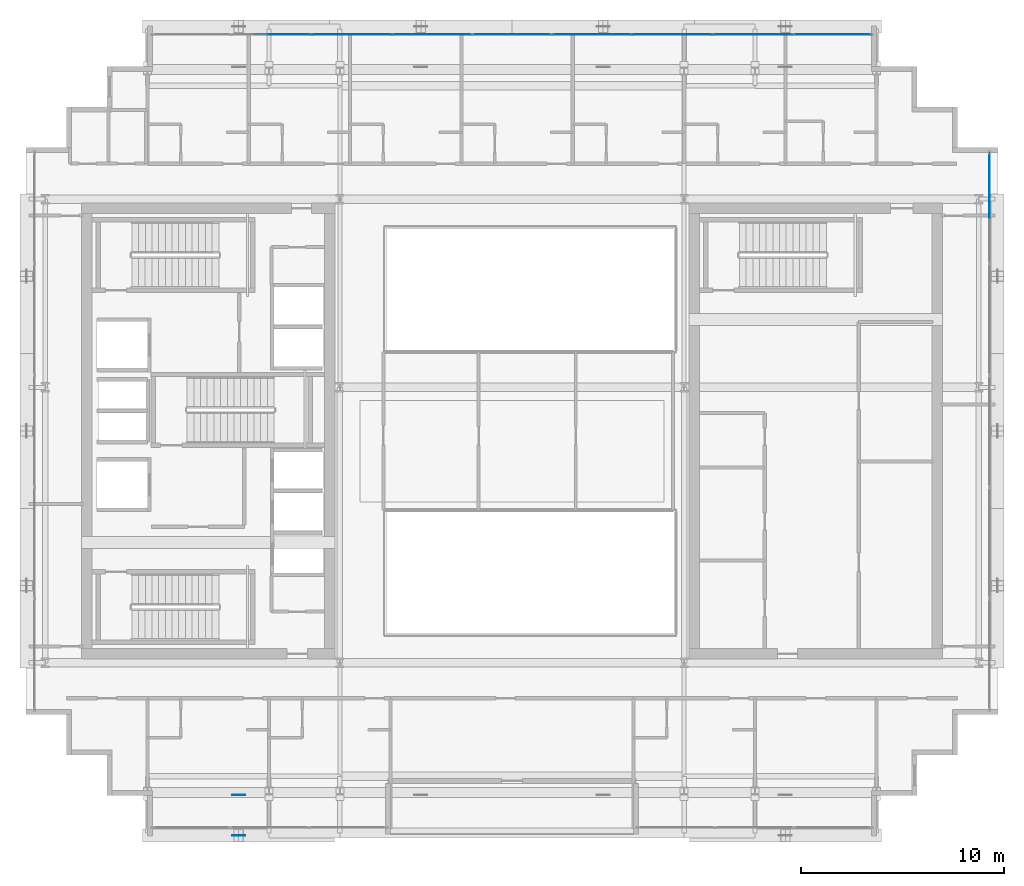
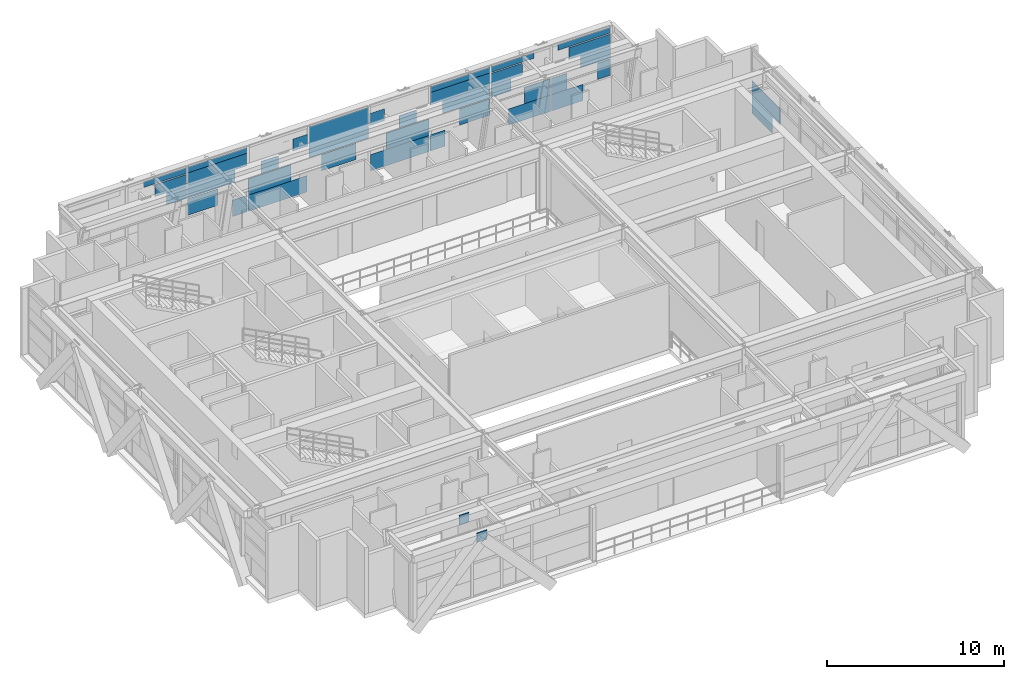
# One storey, part 21 of 31: 38 plates, 2 elements without a shape of their own.
"""IFC4 building model written with IfcOpenShell, lengths in metres."""

import ifcopenshell
import ifcopenshell.guid

model = None  # the IFC model being written
_history = None  # IfcOwnerHistory: only IFC2X3 demands one
_inside = {}  # id of a spatial element -> (the spatial element, [elements in it])
_under = {}  # id of a project, library or spatial element -> (it, [spatial elements below it])
_declared = {}  # id of a project -> (the project, [libraries it declares])
_typed = {}  # id of a type object -> (the type object, [elements of that type])
_made_of = {}  # id of a material, layer set ... -> (it, [elements and type objects made of it])


def new_model(schema):
    """Start an empty IFC model of exactly this schema.

    Asked for "IFC4X3", IfcOpenShell would pick the latest addendum, in which some entities
    have other attributes; the version numbers below select the first issue.
    IFC2X3 requires an IfcOwnerHistory on every rooted entity: one is made here for all.
    """
    global model, _history
    if schema == "IFC4X3":
        model = ifcopenshell.file(schema_version=(4, 3, 0, 0))
    else:
        model = ifcopenshell.file(schema=schema)
    _inside.clear()
    _under.clear()
    _declared.clear()
    _typed.clear()
    _made_of.clear()
    _history = None
    if model.schema == "IFC2X3":
        org = make("IfcOrganization", Name="unknown")
        user = make(
            "IfcPersonAndOrganization",
            ThePerson=make("IfcPerson", FamilyName="unknown"),
            TheOrganization=org,
        )
        app = make(
            "IfcApplication",
            ApplicationDeveloper=org,
            Version="unknown",
            ApplicationFullName="unknown",
            ApplicationIdentifier="unknown",
        )
        _history = make(
            "IfcOwnerHistory",
            OwningUser=user,
            OwningApplication=app,
            ChangeAction="ADDED",
            CreationDate=0,
        )
    return model


def make(cls, **values):
    """One entity of the class cls with the attributes given. An attribute that is None is left unset."""
    return model.create_entity(
        cls, **{name: value for name, value in values.items() if value is not None}
    )


def rooted(cls, **values):
    """An entity with a GlobalId (a new one), such as an element, a storey or a relation."""
    return make(cls, GlobalId=ifcopenshell.guid.new(), OwnerHistory=_history, **values)


def si_unit(unit_type, name, prefix=None):
    """IfcSIUnit, for example si_unit("LENGTHUNIT", "METRE", prefix="MILLI")."""
    return make("IfcSIUnit", UnitType=unit_type, Prefix=prefix, Name=name)


def assignment(units):
    """IfcUnitAssignment: the units of a project."""
    return None if units is None else make("IfcUnitAssignment", Units=units)


def point(xyz):
    """IfcCartesianPoint."""
    return None if xyz is None else make("IfcCartesianPoint", Coordinates=xyz)


def direction(xyz):
    """IfcDirection."""
    return None if xyz is None else make("IfcDirection", DirectionRatios=xyz)


def frame(location, z_axis=None, x_axis=None):
    """IfcAxis2Placement3D, a coordinate frame: its origin and axes. An axis left out is left unset."""
    return make(
        "IfcAxis2Placement3D",
        Location=point(location),
        Axis=direction(z_axis),
        RefDirection=direction(x_axis),
    )


def frame_2d(location, x_axis=None):
    """IfcAxis2Placement2D, a coordinate frame in the plane: its origin and x axis."""
    return make(
        "IfcAxis2Placement2D", Location=point(location), RefDirection=direction(x_axis)
    )


def origin():
    """The frame at (0, 0, 0) with its axes left unset."""
    return frame((0.0, 0.0, 0.0))


def origin_2d():
    """The frame at (0, 0) in the plane with its x axis left unset."""
    return frame_2d((0.0, 0.0))


def place(relative_to, where):
    """IfcLocalPlacement: puts the frame where relative to a parent placement (None: the world)."""
    return make(
        "IfcLocalPlacement", PlacementRelTo=relative_to, RelativePlacement=where
    )


def context(
    kind, dimensions, precision=None, world=None, true_north=None, identifier=None
):
    """IfcGeometricRepresentationContext, for example the 3D "Model" context."""
    return make(
        "IfcGeometricRepresentationContext",
        ContextIdentifier=identifier,
        ContextType=kind,
        CoordinateSpaceDimension=dimensions,
        Precision=precision,
        WorldCoordinateSystem=world,
        TrueNorth=true_north,
    )


def subcontext(parent, identifier, kind, view, scale=None):
    """IfcGeometricRepresentationSubContext, for example "Body" below "Model"."""
    return make(
        "IfcGeometricRepresentationSubContext",
        ContextIdentifier=identifier,
        ContextType=kind,
        ParentContext=parent,
        TargetScale=scale,
        TargetView=view,
    )


def project(units=None, contexts=None):
    """IfcProject with its units and contexts."""
    return rooted(
        "IfcProject",
        Name="project",
        RepresentationContexts=contexts,
        UnitsInContext=assignment(units),
    )


def spatial(cls, under=None, at=None, **own):
    """A site, building, storey or space (cls), placed at a placement, below another one or the project."""
    s = rooted(cls, ObjectPlacement=at, **own)
    if under is not None:
        _under.setdefault(under.id(), (under, []))[1].append(s)
    return s


def profile(cls, at=None, kind="AREA", **sizes):
    """A parametric profile (cls). Its sizes go by their IFC names, for example OverallWidth=200.0."""
    return make(cls, ProfileType=kind, Position=at, **sizes)


def rectangle(**sizes):
    """IfcRectangleProfileDef."""
    return profile("IfcRectangleProfileDef", **sizes)


def extrude(swept, where, along, depth):
    """IfcExtrudedAreaSolid: the profile swept, set in the frame where, extruded along a direction by depth."""
    return make(
        "IfcExtrudedAreaSolid",
        SweptArea=swept,
        Position=where,
        ExtrudedDirection=direction(along),
        Depth=depth,
    )


def shape(context_of_items, identifier, shape_type, items):
    """IfcShapeRepresentation: the items that make up one representation, for example the "Body"."""
    return make(
        "IfcShapeRepresentation",
        ContextOfItems=context_of_items,
        RepresentationIdentifier=identifier,
        RepresentationType=shape_type,
        Items=items,
    )


def source(mapping_origin, context_of_items, identifier, shape_type, items):
    """IfcRepresentationMap: a shape defined once, which mapped items show again and again."""
    return make(
        "IfcRepresentationMap",
        MappingOrigin=mapping_origin,
        MappedRepresentation=shape(context_of_items, identifier, shape_type, items),
    )


def transform(
    local_origin,
    x_axis=None,
    y_axis=None,
    z_axis=None,
    scale=None,
    scale2=None,
    scale3=None,
    uniform=True,
):
    """IfcCartesianTransformationOperator3D, or its non-uniform kind. x_axis, y_axis, z_axis: its Axis1, 2, 3."""
    if uniform:
        return make(
            "IfcCartesianTransformationOperator3D",
            Axis1=direction(x_axis),
            Axis2=direction(y_axis),
            LocalOrigin=point(local_origin),
            Scale=scale,
            Axis3=direction(z_axis),
        )
    return make(
        "IfcCartesianTransformationOperator3DnonUniform",
        Axis1=direction(x_axis),
        Axis2=direction(y_axis),
        LocalOrigin=point(local_origin),
        Scale=scale,
        Axis3=direction(z_axis),
        Scale2=scale2,
        Scale3=scale3,
    )


def mapped(mapping_source, mapping_target):
    """IfcMappedItem: shows the shape of a source again, moved by a transform."""
    return make(
        "IfcMappedItem", MappingSource=mapping_source, MappingTarget=mapping_target
    )


def material(Name=None, Category=None):
    """IfcMaterial."""
    return make("IfcMaterial", Name=Name, Category=Category)


def layer(
    of_material, thickness, ventilated=None, Name=None, Category=None, Priority=None
):
    """IfcMaterialLayer: one layer of a wall or slab, of a material (None: an air gap)."""
    return make(
        "IfcMaterialLayer",
        Material=of_material,
        LayerThickness=thickness,
        IsVentilated=ventilated,
        Name=Name,
        Category=Category,
        Priority=Priority,
    )


def layer_set(layers, Name=None):
    """IfcMaterialLayerSet."""
    return make("IfcMaterialLayerSet", MaterialLayers=layers, LayerSetName=Name)


def made_of(thing, what):
    """Note that an element or type object is made of a material, layer set ...; save() writes the relation."""
    if what is not None:
        _made_of.setdefault(what.id(), (what, []))[1].append(thing)
    return thing


def type_object(cls, material=None, **own):
    """A type object (cls), such as IfcWallType, which elements share."""
    return made_of(rooted(cls, **own), material)


def element(
    cls,
    number,
    at=None,
    inside=None,
    cuts=None,
    type_object=None,
    material=None,
    context=None,
    identifier="Body",
    shape_type=None,
    held_by="IfcProductDefinitionShape",
    body=None,
    shapes=None,
    **own,
):
    """One element of the class cls, such as IfcWall. Its Tag is "e" and its number.

    at: its placement. inside: the storey or other place that contains it. cuts: it is an
    opening in that element (IfcRelVoidsElement). A single representation is given by context,
    identifier, shape_type and body (its items); several are given by shapes. held_by: the class
    of the entity that holds the representations. save() writes the other relations.
    """
    e = rooted(cls, Tag="e%d" % number, ObjectPlacement=at, **own)
    if body is not None:
        shapes = [shape(context, identifier, shape_type, body)]
    if shapes is not None:
        e.Representation = make(held_by, Representations=shapes)
    if inside is not None:
        _inside.setdefault(inside.id(), (inside, []))[1].append(e)
    if cuts is not None:
        rooted(
            "IfcRelVoidsElement", RelatingBuildingElement=cuts, RelatedOpeningElement=e
        )
    if type_object is not None:
        _typed.setdefault(type_object.id(), (type_object, []))[1].append(e)
    return made_of(e, material)


def aggregate(whole, parts):
    """IfcRelAggregates: a whole, such as a stair, and the parts it consists of."""
    return rooted("IfcRelAggregates", RelatingObject=whole, RelatedObjects=parts)


def save(model, path):
    """Write the relations noted so far, then the file.

    IfcRelAggregates (storeys below a building ...), IfcRelContainedInSpatialStructure (elements
    in a storey), IfcRelDefinesByType, IfcRelAssociatesMaterial and IfcRelDeclares: one each for
    every whole, place, type object, material and project.
    """
    for whole, parts in _under.values():
        aggregate(whole, parts)
    for where, things in _inside.values():
        rooted(
            "IfcRelContainedInSpatialStructure",
            RelatedElements=things,
            RelatingStructure=where,
        )
    for kind, things in _typed.values():
        rooted("IfcRelDefinesByType", RelatedObjects=things, RelatingType=kind)
    for what, things in _made_of.values():
        rooted("IfcRelAssociatesMaterial", RelatedObjects=things, RelatingMaterial=what)
    for by, libraries in _declared.values():
        rooted("IfcRelDeclares", RelatingContext=by, RelatedDefinitions=libraries)
    model.write(path)


model = new_model("IFC4")

# Units and contexts
model_context = context("Model", 3, precision=1e-05, world=origin(), true_north=direction((0.0, 1.0)))
body_context = subcontext(model_context, "Body", "Model", "MODEL_VIEW")
ifc_project = project(units=[si_unit("LENGTHUNIT", "METRE"), si_unit("AREAUNIT", "SQUARE_METRE"), si_unit("VOLUMEUNIT", "CUBIC_METRE"), si_unit("PLANEANGLEUNIT", "RADIAN"), si_unit("MASSUNIT", "GRAM", prefix="KILO")], contexts=[model_context])

# Site, building, storey
site_placement = place(None, origin())
site = spatial("IfcSite", under=ifc_project, at=site_placement, CompositionType="ELEMENT")
building_placement = place(site_placement, origin())
building = spatial("IfcBuilding", under=site, at=building_placement, Name="Ocotamira Hotel", CompositionType="ELEMENT")
storey_placement = place(building_placement, frame((0.0, 0.0, 228.0)))
storey = spatial("IfcBuildingStorey", under=building, at=storey_placement, Name="L57", CompositionType="ELEMENT", Elevation=228.0)

# Plates
ifc_material_1 = material(Name="Pale-metal coated steel ASTM A572 Grade 50", Category="steel")
ifc_layer_1 = layer(ifc_material_1, 0.0400390625)
ifc_layer_set_1 = layer_set([ifc_layer_1], Name="Pale-metal coated steel ASTM A572 Grade 50")
plate_type_1 = type_object("IfcPlateType", Name="PLT-GUSSET-40", PredefinedType="SHEET", material=ifc_layer_set_1)
shared_shape_1 = source(origin(), body_context, "Body", "SweptSolid", [
    extrude(rectangle(XDim=0.64990234375, YDim=0.0400390625, at=origin_2d()), origin(), (0.0, 0.0, 1.0), 0.64990234375),
])
for number, where, z_axis, x_axis, name in (
    (1, (18.5, 6.030029296875, 4.005126953125), (0.0, 0.0, 1.0), (1.0, 0.0, 0.0), "L57 Exoskeleton Diagrid S0.1 End Gusset B"),
    (2, (18.5, 8.030029296875, 4.005126953125), (0.0, 0.0, 1.0), (-1.0, 0.0, 0.0), "L57 Exoskeleton Diagrid S0.1 End Gusset A"),
):
    element("IfcPlate", number, at=place(storey_placement, frame(where, z_axis=z_axis, x_axis=x_axis)), inside=storey, type_object=plate_type_1, Name=name, PredefinedType="SHEET", context=body_context, shape_type="MappedRepresentation", body=[
        mapped(shared_shape_1, transform((0.0, 0.0, 0.0), scale=1.0)),
    ])

# Curtain wall, plates
ifc_material_2 = material(Name="Anodised pale-metal aluminium and solar glass", Category="aluminium")
ifc_layer_2 = layer(ifc_material_2, 0.239990234375)
ifc_layer_set_2 = layer_set([ifc_layer_2], Name="Anodised pale-metal aluminium and solar glass")
curtain_wall_type = type_object("IfcCurtainWallType", Name="CW-SYS5-SKY", PredefinedType="NOTDEFINED", material=ifc_layer_set_2)
curtain_wall_1_placement = place(storey_placement, origin())
curtain_wall_1 = element("IfcCurtainWall", 3, at=curtain_wall_1_placement, inside=storey, type_object=curtain_wall_type, Name="L57 Curtain Wall CW-5 CW-L57-N", PredefinedType="NOTDEFINED")
ifc_material_3 = material(Name="Double-silver low-E insulated solar glass", Category="glass")
ifc_layer_3 = layer(ifc_material_3, 0.031982421875)
ifc_layer_set_3 = layer_set([ifc_layer_3], Name="Double-silver low-E insulated solar glass")
plate_type_2 = type_object("IfcPlateType", Name="CWP-VISION-32", PredefinedType="CURTAIN_PANEL", material=ifc_layer_set_3)
shared_shape_2 = source(origin(), body_context, "Body", "SweptSolid", [
    extrude(rectangle(XDim=0.839111328125, YDim=0.031982421875, at=origin_2d()), origin(), (0.0, 0.0, 1.0), 1.118896484375),
])
plate_1_placement = place(storey_placement, frame((49.300537109375, 45.580078125, 1.19384765625), z_axis=(0.0, 0.0, 1.0), x_axis=(1.0, 0.0, 0.0)))
plate_1 = element("IfcPlate", 4, at=plate_1_placement, type_object=plate_type_2, Name="CW-5 panel 9.1.3", PredefinedType="CURTAIN_PANEL", context=body_context, shape_type="MappedRepresentation", body=[
    mapped(shared_shape_2, transform((0.0, 0.0, 0.0), scale=1.0)),
])
shared_shape_3 = source(origin(), body_context, "Body", "SweptSolid", [
    extrude(rectangle(XDim=1.9443359375, YDim=0.031982421875, at=origin_2d()), origin(), (0.0, 0.0, 1.0), 0.826904296875),
])
plate_2_placement = place(storey_placement, frame((48.747802734375, 45.580078125, 2.38720703125), z_axis=(0.0, 0.0, 1.0), x_axis=(1.0, 0.0, 0.0)))
plate_2 = element("IfcPlate", 5, at=plate_2_placement, type_object=plate_type_2, Name="CW-5 panel 9.2.3", PredefinedType="CURTAIN_PANEL", context=body_context, shape_type="MappedRepresentation", body=[
    mapped(shared_shape_3, transform((0.0, 0.0, 0.0), scale=1.0)),
])
shared_shape_4 = source(origin(), body_context, "Body", "SweptSolid", [
    extrude(rectangle(XDim=2.7099609375, YDim=0.031982421875, at=origin_2d()), origin(), (0.0, 0.0, 1.0), 0.826904296875),
])
plate_3_placement = place(storey_placement, frame((48.364990234375, 45.580078125, 3.21435546875), z_axis=(0.0, 0.0, 1.0), x_axis=(1.0, 0.0, 0.0)))
plate_3 = element("IfcPlate", 6, at=plate_3_placement, type_object=plate_type_2, Name="CW-5 panel 9.2.2", PredefinedType="CURTAIN_PANEL", context=body_context, shape_type="MappedRepresentation", body=[
    mapped(shared_shape_4, transform((0.0, 0.0, 0.0), scale=1.0)),
])
shared_shape_5 = source(origin(), body_context, "Body", "SweptSolid", [
    extrude(rectangle(XDim=3.44091796875, YDim=0.031982421875, at=origin_2d()), origin(), (0.0, 0.0, 1.0), 0.394287109375),
])
plate_4_placement = place(storey_placement, frame((47.99951171875, 45.580078125, 4.11083984375), z_axis=(0.0, 0.0, 1.0), x_axis=(1.0, 0.0, 0.0)))
plate_4 = element("IfcPlate", 7, at=plate_4_placement, type_object=plate_type_2, Name="CW-5 panel 9.2.1", PredefinedType="CURTAIN_PANEL", context=body_context, shape_type="MappedRepresentation", body=[
    mapped(shared_shape_5, transform((0.0, 0.0, 0.0), scale=1.0)),
])
shared_shape_6 = source(origin(), body_context, "Body", "SweptSolid", [
    extrude(rectangle(XDim=2.04248046875, YDim=0.031982421875, at=origin_2d()), origin(), (0.0, 0.0, 1.0), 1.118896484375),
])
plate_5_placement = place(storey_placement, frame((46.90576171875, 45.580078125, 0.0751953125), z_axis=(0.0, 0.0, 1.0), x_axis=(1.0, 0.0, 0.0)))
plate_5 = element("IfcPlate", 8, at=plate_5_placement, type_object=plate_type_2, Name="CW-5 panel 9.1.1", PredefinedType="CURTAIN_PANEL", context=body_context, shape_type="MappedRepresentation", body=[
    mapped(shared_shape_6, transform((0.0, 0.0, 0.0), scale=1.0)),
])
shared_shape_7 = source(origin(), body_context, "Body", "SweptSolid", [
    extrude(rectangle(XDim=1.006591796875, YDim=0.031982421875, at=origin_2d()), origin(), (0.0, 0.0, 1.0), 1.118896484375),
])
plate_6_placement = place(storey_placement, frame((46.3876953125, 45.580078125, 1.19384765625), z_axis=(0.0, 0.0, 1.0), x_axis=(1.0, 0.0, 0.0)))
plate_6 = element("IfcPlate", 9, at=plate_6_placement, type_object=plate_type_2, Name="CW-5 panel 9.1.2", PredefinedType="CURTAIN_PANEL", context=body_context, shape_type="MappedRepresentation", body=[
    mapped(shared_shape_7, transform((0.0, 0.0, 0.0), scale=1.0)),
])
shared_shape_8 = source(origin(), body_context, "Body", "SweptSolid", [
    extrude(rectangle(XDim=2.7314453125, YDim=0.031982421875, at=origin_2d()), origin(), (0.0, 0.0, 1.0), 1.118896484375),
])
plate_7_placement = place(storey_placement, frame((44.438720703125, 45.580078125, 0.0751953125), z_axis=(0.0, 0.0, 1.0), x_axis=(1.0, 0.0, 0.0)))
plate_7 = element("IfcPlate", 10, at=plate_7_placement, type_object=plate_type_2, Name="CW-5 panel 8.1.1", PredefinedType="CURTAIN_PANEL", context=body_context, shape_type="MappedRepresentation", body=[
    mapped(shared_shape_8, transform((0.0, 0.0, 0.0), scale=1.0)),
])
shared_shape_9 = source(origin(), body_context, "Body", "SweptSolid", [
    extrude(rectangle(XDim=1.695556640625, YDim=0.031982421875, at=origin_2d()), origin(), (0.0, 0.0, 1.0), 1.118896484375),
])
plate_8_placement = place(storey_placement, frame((44.956787109375, 45.580078125, 1.19384765625), z_axis=(0.0, 0.0, 1.0), x_axis=(1.0, 0.0, 0.0)))
plate_8 = element("IfcPlate", 11, at=plate_8_placement, type_object=plate_type_2, Name="CW-5 panel 8.1.2", PredefinedType="CURTAIN_PANEL", context=body_context, shape_type="MappedRepresentation", body=[
    mapped(shared_shape_9, transform((0.0, 0.0, 0.0), scale=1.0)),
])
shared_shape_10 = source(origin(), body_context, "Body", "SweptSolid", [
    extrude(rectangle(XDim=2.7919921875, YDim=0.031982421875, at=origin_2d()), origin(), (0.0, 0.0, 1.0), 0.394287109375),
])
plate_9_placement = place(storey_placement, frame((20.675048828125, 45.580078125, 4.11083984375), z_axis=(0.0, 0.0, 1.0), x_axis=(1.0, 0.0, 0.0)))
plate_9 = element("IfcPlate", 12, at=plate_9_placement, type_object=plate_type_2, Name="CW-5 panel 2.2.1", PredefinedType="CURTAIN_PANEL", context=body_context, shape_type="MappedRepresentation", body=[
    mapped(shared_shape_10, transform((0.0, 0.0, 0.0), scale=1.0)),
])
plate_10_placement = place(storey_placement, frame((43.324951171875, 45.580078125, 4.11083984375), z_axis=(0.0, 0.0, 1.0), x_axis=(1.0, 0.0, 0.0)))
plate_10 = element("IfcPlate", 13, at=plate_10_placement, type_object=plate_type_2, Name="CW-5 panel 8.2.3", PredefinedType="CURTAIN_PANEL", context=body_context, shape_type="MappedRepresentation", body=[
    mapped(shared_shape_10, transform((0.0, 0.0, 0.0), scale=1.0)),
])
shared_shape_11 = source(origin(), body_context, "Body", "SweptSolid", [
    extrude(rectangle(XDim=2.06103515625, YDim=0.031982421875, at=origin_2d()), origin(), (0.0, 0.0, 1.0), 0.826904296875),
])
plate_11_placement = place(storey_placement, frame((21.04052734375, 45.580078125, 3.21435546875), z_axis=(0.0, 0.0, 1.0), x_axis=(1.0, 0.0, 0.0)))
plate_11 = element("IfcPlate", 14, at=plate_11_placement, type_object=plate_type_2, Name="CW-5 panel 2.2.2", PredefinedType="CURTAIN_PANEL", context=body_context, shape_type="MappedRepresentation", body=[
    mapped(shared_shape_11, transform((0.0, 0.0, 0.0), scale=1.0)),
])
plate_12_placement = place(storey_placement, frame((42.95947265625, 45.580078125, 3.21435546875), z_axis=(0.0, 0.0, 1.0), x_axis=(1.0, 0.0, 0.0)))
plate_12 = element("IfcPlate", 15, at=plate_12_placement, type_object=plate_type_2, Name="CW-5 panel 8.2.2", PredefinedType="CURTAIN_PANEL", context=body_context, shape_type="MappedRepresentation", body=[
    mapped(shared_shape_11, transform((0.0, 0.0, 0.0), scale=1.0)),
])
shared_shape_12 = source(origin(), body_context, "Body", "SweptSolid", [
    extrude(rectangle(XDim=1.29541015625, YDim=0.031982421875, at=origin_2d()), origin(), (0.0, 0.0, 1.0), 0.826904296875),
])
plate_13_placement = place(storey_placement, frame((21.42333984375, 45.580078125, 2.38720703125), z_axis=(0.0, 0.0, 1.0), x_axis=(1.0, 0.0, 0.0)))
plate_13 = element("IfcPlate", 16, at=plate_13_placement, type_object=plate_type_2, Name="CW-5 panel 2.2.3", PredefinedType="CURTAIN_PANEL", context=body_context, shape_type="MappedRepresentation", body=[
    mapped(shared_shape_12, transform((0.0, 0.0, 0.0), scale=1.0)),
])
plate_14_placement = place(storey_placement, frame((42.57666015625, 45.580078125, 2.38720703125), z_axis=(0.0, 0.0, 1.0), x_axis=(1.0, 0.0, 0.0)))
plate_14 = element("IfcPlate", 17, at=plate_14_placement, type_object=plate_type_2, Name="CW-5 panel 8.2.1", PredefinedType="CURTAIN_PANEL", context=body_context, shape_type="MappedRepresentation", body=[
    mapped(shared_shape_12, transform((0.0, 0.0, 0.0), scale=1.0)),
])
shared_shape_13 = source(origin(), body_context, "Body", "SweptSolid", [
    extrude(rectangle(XDim=1.968017578125, YDim=0.031982421875, at=origin_2d()), origin(), (0.0, 0.0, 1.0), 1.118896484375),
])
plate_15_placement = place(storey_placement, frame((23.135009765625, 45.580078125, 1.19384765625), z_axis=(0.0, 0.0, 1.0), x_axis=(1.0, 0.0, 0.0)))
plate_15 = element("IfcPlate", 18, at=plate_15_placement, type_object=plate_type_2, Name="CW-5 panel 3.1.1", PredefinedType="CURTAIN_PANEL", context=body_context, shape_type="MappedRepresentation", body=[
    mapped(shared_shape_13, transform((0.0, 0.0, 0.0), scale=1.0)),
])
plate_16_placement = place(storey_placement, frame((40.864990234375, 45.580078125, 1.19384765625), z_axis=(0.0, 0.0, 1.0), x_axis=(1.0, 0.0, 0.0)))
plate_16 = element("IfcPlate", 19, at=plate_16_placement, type_object=plate_type_2, Name="CW-5 panel 7.1.2", PredefinedType="CURTAIN_PANEL", context=body_context, shape_type="MappedRepresentation", body=[
    mapped(shared_shape_13, transform((0.0, 0.0, 0.0), scale=1.0)),
])
shared_shape_14 = source(origin(), body_context, "Body", "SweptSolid", [
    extrude(rectangle(XDim=0.95361328125, YDim=0.031982421875, at=origin_2d()), origin(), (0.0, 0.0, 1.0), 1.118896484375),
])
plate_17_placement = place(storey_placement, frame((25.5498046875, 45.580078125, 0.0751953125), z_axis=(0.0, 0.0, 1.0), x_axis=(1.0, 0.0, 0.0)))
plate_17 = element("IfcPlate", 20, at=plate_17_placement, type_object=plate_type_2, Name="CW-5 panel 3.1.2", PredefinedType="CURTAIN_PANEL", context=body_context, shape_type="MappedRepresentation", body=[
    mapped(shared_shape_14, transform((0.0, 0.0, 0.0), scale=1.0)),
])
plate_18_placement = place(storey_placement, frame((38.4501953125, 45.580078125, 0.0751953125), z_axis=(0.0, 0.0, 1.0), x_axis=(1.0, 0.0, 0.0)))
plate_18 = element("IfcPlate", 21, at=plate_18_placement, type_object=plate_type_2, Name="CW-5 panel 7.1.1", PredefinedType="CURTAIN_PANEL", context=body_context, shape_type="MappedRepresentation", body=[
    mapped(shared_shape_14, transform((0.0, 0.0, 0.0), scale=1.0)),
])
shared_shape_15 = source(origin(), body_context, "Body", "SweptSolid", [
    extrude(rectangle(XDim=3.0732421875, YDim=0.031982421875, at=origin_2d()), origin(), (0.0, 0.0, 1.0), 0.861572265625),
])
plate_19_placement = place(storey_placement, frame((23.687744140625, 45.580078125, 2.3876953125), z_axis=(0.0, 0.0, 1.0), x_axis=(1.0, 0.0, 0.0)))
plate_19 = element("IfcPlate", 22, at=plate_19_placement, type_object=plate_type_2, Name="CW-5 panel 3.2.1", PredefinedType="CURTAIN_PANEL", context=body_context, shape_type="MappedRepresentation", body=[
    mapped(shared_shape_15, transform((0.0, 0.0, 0.0), scale=1.0)),
])
plate_20_placement = place(storey_placement, frame((40.312255859375, 45.580078125, 2.3876953125), z_axis=(0.0, 0.0, 1.0), x_axis=(1.0, 0.0, 0.0)))
plate_20 = element("IfcPlate", 23, at=plate_20_placement, type_object=plate_type_2, Name="CW-5 panel 7.2.3", PredefinedType="CURTAIN_PANEL", context=body_context, shape_type="MappedRepresentation", body=[
    mapped(shared_shape_15, transform((0.0, 0.0, 0.0), scale=1.0)),
])
shared_shape_16 = source(origin(), body_context, "Body", "SweptSolid", [
    extrude(rectangle(XDim=3.87109375, YDim=0.031982421875, at=origin_2d()), origin(), (0.0, 0.0, 1.0), 0.861572265625),
])
plate_21_placement = place(storey_placement, frame((24.086669921875, 45.580078125, 3.2490234375), z_axis=(0.0, 0.0, 1.0), x_axis=(1.0, 0.0, 0.0)))
plate_21 = element("IfcPlate", 24, at=plate_21_placement, type_object=plate_type_2, Name="CW-5 panel 3.2.2", PredefinedType="CURTAIN_PANEL", context=body_context, shape_type="MappedRepresentation", body=[
    mapped(shared_shape_16, transform((0.0, 0.0, 0.0), scale=1.0)),
])
plate_22_placement = place(storey_placement, frame((39.913330078125, 45.580078125, 3.2490234375), z_axis=(0.0, 0.0, 1.0), x_axis=(1.0, 0.0, 0.0)))
plate_22 = element("IfcPlate", 25, at=plate_22_placement, type_object=plate_type_2, Name="CW-5 panel 7.2.2", PredefinedType="CURTAIN_PANEL", context=body_context, shape_type="MappedRepresentation", body=[
    mapped(shared_shape_16, transform((0.0, 0.0, 0.0), scale=1.0)),
])
shared_shape_17 = source(origin(), body_context, "Body", "SweptSolid", [
    extrude(rectangle(XDim=3.87548828125, YDim=0.031982421875, at=origin_2d()), origin(), (0.0, 0.0, 1.0), 0.394287109375),
])
plate_23_placement = place(storey_placement, frame((24.0888671875, 45.580078125, 4.11083984375), z_axis=(0.0, 0.0, 1.0), x_axis=(1.0, 0.0, 0.0)))
plate_23 = element("IfcPlate", 26, at=plate_23_placement, type_object=plate_type_2, Name="CW-5 panel 3.2.3", PredefinedType="CURTAIN_PANEL", context=body_context, shape_type="MappedRepresentation", body=[
    mapped(shared_shape_17, transform((0.0, 0.0, 0.0), scale=1.0)),
])
plate_24_placement = place(storey_placement, frame((39.9111328125, 45.580078125, 4.11083984375), z_axis=(0.0, 0.0, 1.0), x_axis=(1.0, 0.0, 0.0)))
plate_24 = element("IfcPlate", 27, at=plate_24_placement, type_object=plate_type_2, Name="CW-5 panel 7.2.1", PredefinedType="CURTAIN_PANEL", context=body_context, shape_type="MappedRepresentation", body=[
    mapped(shared_shape_17, transform((0.0, 0.0, 0.0), scale=1.0)),
])
shared_shape_18 = source(origin(), body_context, "Body", "SweptSolid", [
    extrude(rectangle(XDim=3.8203125, YDim=0.031982421875, at=origin_2d()), origin(), (0.0, 0.0, 1.0), 1.118896484375),
])
plate_25_placement = place(storey_placement, frame((28.016845703125, 45.580078125, 0.0751953125), z_axis=(0.0, 0.0, 1.0), x_axis=(1.0, 0.0, 0.0)))
plate_25 = element("IfcPlate", 28, at=plate_25_placement, type_object=plate_type_2, Name="CW-5 panel 4.1.1", PredefinedType="CURTAIN_PANEL", context=body_context, shape_type="MappedRepresentation", body=[
    mapped(shared_shape_18, transform((0.0, 0.0, 0.0), scale=1.0)),
])
plate_26_placement = place(storey_placement, frame((35.983154296875, 45.580078125, 0.0751953125), z_axis=(0.0, 0.0, 1.0), x_axis=(1.0, 0.0, 0.0)))
plate_26 = element("IfcPlate", 29, at=plate_26_placement, type_object=plate_type_2, Name="CW-5 panel 6.1.1", PredefinedType="CURTAIN_PANEL", context=body_context, shape_type="MappedRepresentation", body=[
    mapped(shared_shape_18, transform((0.0, 0.0, 0.0), scale=1.0)),
])
shared_shape_19 = source(origin(), body_context, "Body", "SweptSolid", [
    extrude(rectangle(XDim=2.784423828125, YDim=0.031982421875, at=origin_2d()), origin(), (0.0, 0.0, 1.0), 1.118896484375),
])
plate_27_placement = place(storey_placement, frame((27.498779296875, 45.580078125, 1.19384765625), z_axis=(0.0, 0.0, 1.0), x_axis=(1.0, 0.0, 0.0)))
plate_27 = element("IfcPlate", 30, at=plate_27_placement, type_object=plate_type_2, Name="CW-5 panel 4.1.2", PredefinedType="CURTAIN_PANEL", context=body_context, shape_type="MappedRepresentation", body=[
    mapped(shared_shape_19, transform((0.0, 0.0, 0.0), scale=1.0)),
])
plate_28_placement = place(storey_placement, frame((36.501220703125, 45.580078125, 1.19384765625), z_axis=(0.0, 0.0, 1.0), x_axis=(1.0, 0.0, 0.0)))
plate_28 = element("IfcPlate", 31, at=plate_28_placement, type_object=plate_type_2, Name="CW-5 panel 6.1.2", PredefinedType="CURTAIN_PANEL", context=body_context, shape_type="MappedRepresentation", body=[
    mapped(shared_shape_19, transform((0.0, 0.0, 0.0), scale=1.0)),
])
shared_shape_20 = source(origin(), body_context, "Body", "SweptSolid", [
    extrude(rectangle(XDim=1.112060546875, YDim=0.031982421875, at=origin_2d()), origin(), (0.0, 0.0, 1.0), 0.826904296875),
])
plate_29_placement = place(storey_placement, frame((27.5, 45.580078125, 2.38720703125), z_axis=(0.0, 0.0, 1.0), x_axis=(1.0, 0.0, 0.0)))
plate_29 = element("IfcPlate", 32, at=plate_29_placement, type_object=plate_type_2, Name="CW-5 panel 4.2.1", PredefinedType="CURTAIN_PANEL", context=body_context, shape_type="MappedRepresentation", body=[
    mapped(shared_shape_20, transform((0.0, 0.0, 0.0), scale=1.0)),
])
plate_30_placement = place(storey_placement, frame((36.5, 45.580078125, 2.38720703125), z_axis=(0.0, 0.0, 1.0), x_axis=(1.0, 0.0, 0.0)))
plate_30 = element("IfcPlate", 33, at=plate_30_placement, type_object=plate_type_2, Name="CW-5 panel 6.2.2", PredefinedType="CURTAIN_PANEL", context=body_context, shape_type="MappedRepresentation", body=[
    mapped(shared_shape_20, transform((0.0, 0.0, 0.0), scale=1.0)),
])
shared_shape_21 = source(origin(), body_context, "Body", "SweptSolid", [
    extrude(rectangle(XDim=0.97216796875, YDim=0.031982421875, at=origin_2d()), origin(), (0.0, 0.0, 1.0), 0.826904296875),
])
plate_31_placement = place(storey_placement, frame((29.49609375, 45.580078125, 3.21435546875), z_axis=(0.0, 0.0, 1.0), x_axis=(1.0, 0.0, 0.0)))
plate_31 = element("IfcPlate", 34, at=plate_31_placement, type_object=plate_type_2, Name="CW-5 panel 4.2.2", PredefinedType="CURTAIN_PANEL", context=body_context, shape_type="MappedRepresentation", body=[
    mapped(shared_shape_21, transform((0.0, 0.0, 0.0), scale=1.0)),
])
plate_32_placement = place(storey_placement, frame((34.50390625, 45.580078125, 3.21435546875), z_axis=(0.0, 0.0, 1.0), x_axis=(1.0, 0.0, 0.0)))
plate_32 = element("IfcPlate", 35, at=plate_32_placement, type_object=plate_type_2, Name="CW-5 panel 6.2.1", PredefinedType="CURTAIN_PANEL", context=body_context, shape_type="MappedRepresentation", body=[
    mapped(shared_shape_21, transform((0.0, 0.0, 0.0), scale=1.0)),
])
shared_shape_22 = source(origin(), body_context, "Body", "SweptSolid", [
    extrude(rectangle(XDim=2.238037109375, YDim=0.031982421875, at=origin_2d()), origin(), (0.0, 0.0, 1.0), 1.118896484375),
])
plate_33_placement = place(storey_placement, frame((32.0, 45.580078125, 1.19384765625), z_axis=(0.0, 0.0, 1.0), x_axis=(1.0, 0.0, 0.0)))
plate_33 = element("IfcPlate", 36, at=plate_33_placement, type_object=plate_type_2, Name="CW-5 panel 5.1.1", PredefinedType="CURTAIN_PANEL", context=body_context, shape_type="MappedRepresentation", body=[
    mapped(shared_shape_22, transform((0.0, 0.0, 0.0), scale=1.0)),
])
shared_shape_23 = source(origin(), body_context, "Body", "SweptSolid", [
    extrude(rectangle(XDim=3.87548828125, YDim=0.031982421875, at=origin_2d()), origin(), (0.0, 0.0, 1.0), 2.117431640625),
])
plate_34_placement = place(storey_placement, frame((32.0, 45.580078125, 2.3876953125), z_axis=(0.0, 0.0, 1.0), x_axis=(1.0, 0.0, 0.0)))
plate_34 = element("IfcPlate", 37, at=plate_34_placement, type_object=plate_type_2, Name="CW-5 panel 5.2", PredefinedType="CURTAIN_PANEL", context=body_context, shape_type="MappedRepresentation", body=[
    mapped(shared_shape_23, transform((0.0, 0.0, 0.0), scale=1.0)),
])
aggregate(curtain_wall_1, [plate_9, plate_11, plate_13, plate_15, plate_17, plate_19, plate_21, plate_23, plate_25, plate_27, plate_29, plate_31, plate_33, plate_34, plate_26, plate_28, plate_32, plate_30, plate_18, plate_16, plate_24, plate_22, plate_20, plate_7, plate_8, plate_14, plate_12, plate_10, plate_5, plate_6, plate_1, plate_4, plate_3, plate_2])

curtain_wall_2_placement = place(storey_placement, origin())
curtain_wall_2 = element("IfcCurtainWall", 38, at=curtain_wall_2_placement, inside=storey, type_object=curtain_wall_type, Name="L57 Curtain Wall CW-5 CW-L57-E", PredefinedType="NOTDEFINED")
shared_shape_24 = source(origin(), body_context, "Body", "SweptSolid", [
    extrude(rectangle(XDim=2.300048828125, YDim=0.031982421875, at=origin_2d()), origin(), (0.0, 0.0, 1.0), 1.118896484375),
])
plate_35_placement = place(storey_placement, frame((55.580078125, 38.570068359375, 0.0751953125), z_axis=(0.0, 0.0, 1.0), x_axis=(0.0, 1.0, 0.0)))
plate_35 = element("IfcPlate", 39, at=plate_35_placement, type_object=plate_type_2, Name="CW-5 panel 5.1.3", PredefinedType="CURTAIN_PANEL", context=body_context, shape_type="MappedRepresentation", body=[
    mapped(shared_shape_24, transform((0.0, 0.0, 0.0), scale=1.0)),
])
shared_shape_25 = source(origin(), body_context, "Body", "SweptSolid", [
    extrude(rectangle(XDim=3.1787109375, YDim=0.031982421875, at=origin_2d()), origin(), (0.0, 0.0, 1.0), 1.118896484375),
])
plate_36_placement = place(storey_placement, frame((55.580078125, 38.130615234375, 1.19384765625), z_axis=(0.0, 0.0, 1.0), x_axis=(0.0, 1.0, 0.0)))
plate_36 = element("IfcPlate", 40, at=plate_36_placement, type_object=plate_type_2, Name="CW-5 panel 5.1.2", PredefinedType="CURTAIN_PANEL", context=body_context, shape_type="MappedRepresentation", body=[
    mapped(shared_shape_25, transform((0.0, 0.0, 0.0), scale=1.0)),
])
aggregate(curtain_wall_2, [plate_36, plate_35])

save(model, "model.ifc")
